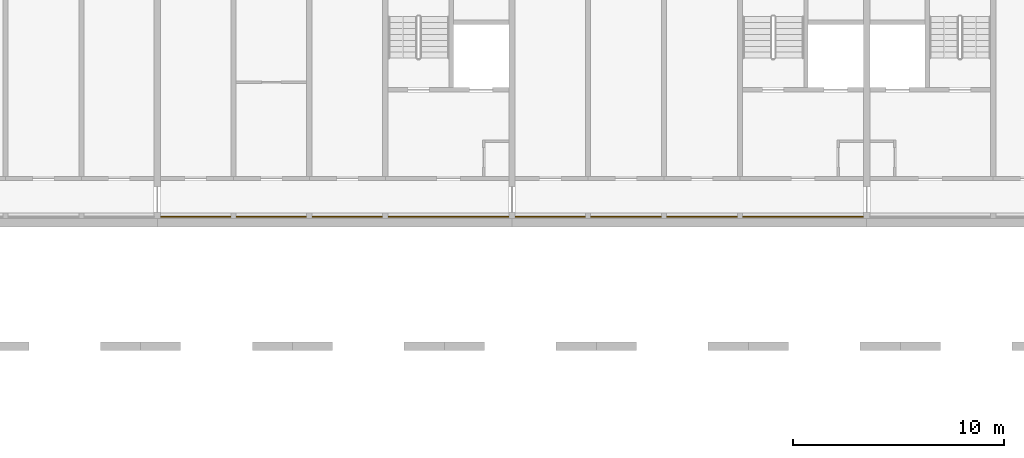
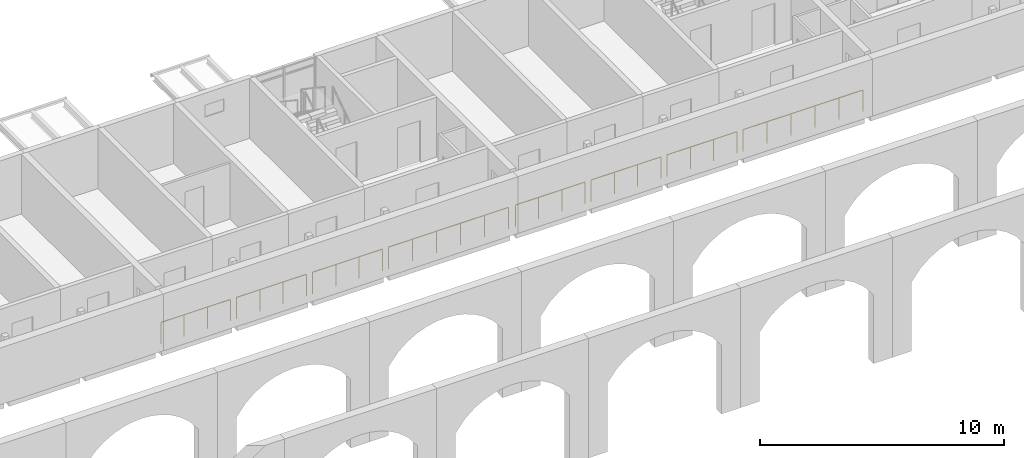
# One storey, part 103 of 122: 8 railings.
"""IFC4 building model written with IfcOpenShell, lengths in metres."""

from ifc_helpers import new_model, si_unit, direction, frame, origin, origin_2d, place, context, subcontext, project, spatial, circle, extrude, material, type_object, element, save


model = new_model("IFC4")

# Units and contexts
model_context = context("Model", 3, precision=1e-05, world=origin(), true_north=direction((0.0, 1.0)))
body_context = subcontext(model_context, "Body", "Model", "MODEL_VIEW")
ifc_project = project(units=[si_unit("LENGTHUNIT", "METRE"), si_unit("AREAUNIT", "SQUARE_METRE"), si_unit("VOLUMEUNIT", "CUBIC_METRE"), si_unit("PLANEANGLEUNIT", "RADIAN"), si_unit("MASSUNIT", "GRAM", prefix="KILO")], contexts=[model_context])

# Site, building, storey
site_placement = place(None, origin())
site = spatial("IfcSite", under=ifc_project, at=site_placement, CompositionType="ELEMENT")
building_placement = place(site_placement, origin())
building = spatial("IfcBuilding", under=site, at=building_placement, Name="Ridgestep Commons", CompositionType="ELEMENT")
storey_placement = place(building_placement, frame((0.0, 0.0, 3.0)))
storey = spatial("IfcBuildingStorey", under=building, at=storey_placement, Name="L01", CompositionType="ELEMENT", Elevation=3.0)

# Railings
ifc_material = material(Name="Structural steel S355JR galvanised", Category="steel")
railing_type = type_object("IfcRailingType", Name="Passage guard 1100", PredefinedType="GUARDRAIL", material=ifc_material)
railing_1_placement = place(storey_placement, frame((62.571044921875, 11.830078125, 0.0)))
element("IfcRailing", 1, at=railing_1_placement, inside=storey, type_object=railing_type, Name="Passage guard A 01.13", PredefinedType="GUARDRAIL", context=body_context, shape_type="SweptSolid", body=[
    extrude(circle(Radius=0.02392578125, at=origin_2d()), frame((0.0, 0.0, 1.076171875), z_axis=(1.0, 0.0, 0.0), x_axis=(0.0, 1.0, 0.0)), (0.0, 0.0, 1.0), 3.282958984375),
    extrude(circle(Radius=0.02099609375, at=origin_2d()), origin(), (0.0, 0.0, 1.0), 1.052001953125),
    extrude(circle(Radius=0.02099609375, at=origin_2d()), frame((1.09423828125, 0.0, 0.0)), (0.0, 0.0, 1.0), 1.052001953125),
    extrude(circle(Radius=0.02099609375, at=origin_2d()), frame((2.188720703125, 0.0, 0.0)), (0.0, 0.0, 1.0), 1.052001953125),
    extrude(circle(Radius=0.02099609375, at=origin_2d()), frame((3.282958984375, 0.0, 0.0)), (0.0, 0.0, 1.0), 1.052001953125),
])
railing_2_placement = place(storey_placement, frame((66.14599609375, 11.830078125, 0.0)))
element("IfcRailing", 2, at=railing_2_placement, inside=storey, type_object=railing_type, Name="Passage guard A 01.14", PredefinedType="GUARDRAIL", context=body_context, shape_type="SweptSolid", body=[
    extrude(circle(Radius=0.02392578125, at=origin_2d()), frame((0.0, 0.0, 1.076171875), z_axis=(1.0, 0.0, 0.0), x_axis=(0.0, 1.0, 0.0)), (0.0, 0.0, 1.0), 3.30810546875),
    extrude(circle(Radius=0.02099609375, at=origin_2d()), origin(), (0.0, 0.0, 1.0), 1.052001953125),
    extrude(circle(Radius=0.02099609375, at=origin_2d()), frame((1.102783203125, 0.0, 0.0)), (0.0, 0.0, 1.0), 1.052001953125),
    extrude(circle(Radius=0.02099609375, at=origin_2d()), frame((2.205322265625, 0.0, 0.0)), (0.0, 0.0, 1.0), 1.052001953125),
    extrude(circle(Radius=0.02099609375, at=origin_2d()), frame((3.30810546875, 0.0, 0.0)), (0.0, 0.0, 1.0), 1.052001953125),
])
railing_3_placement = place(storey_placement, frame((69.74609375, 11.830078125, 0.0)))
element("IfcRailing", 3, at=railing_3_placement, inside=storey, type_object=railing_type, Name="Passage guard A 01.15", PredefinedType="GUARDRAIL", context=body_context, shape_type="SweptSolid", body=[
    extrude(circle(Radius=0.02392578125, at=origin_2d()), frame((0.0, 0.0, 1.076171875), z_axis=(1.0, 0.0, 0.0), x_axis=(0.0, 1.0, 0.0)), (0.0, 0.0, 1.0), 3.307861328125),
    extrude(circle(Radius=0.02099609375, at=origin_2d()), origin(), (0.0, 0.0, 1.0), 1.052001953125),
    extrude(circle(Radius=0.02099609375, at=origin_2d()), frame((1.1025390625, 0.0, 0.0)), (0.0, 0.0, 1.0), 1.052001953125),
    extrude(circle(Radius=0.02099609375, at=origin_2d()), frame((2.205322265625, 0.0, 0.0)), (0.0, 0.0, 1.0), 1.052001953125),
    extrude(circle(Radius=0.02099609375, at=origin_2d()), frame((3.307861328125, 0.0, 0.0)), (0.0, 0.0, 1.0), 1.052001953125),
])
railing_4_placement = place(storey_placement, frame((73.345947265625, 11.830078125, 0.0)))
element("IfcRailing", 4, at=railing_4_placement, inside=storey, type_object=railing_type, Name="Passage guard A 01.16", PredefinedType="GUARDRAIL", context=body_context, shape_type="SweptSolid", body=[
    extrude(circle(Radius=0.02392578125, at=origin_2d()), frame((0.0, 0.0, 1.076171875), z_axis=(1.0, 0.0, 0.0), x_axis=(0.0, 1.0, 0.0)), (0.0, 0.0, 1.0), 5.68310546875),
    extrude(circle(Radius=0.02099609375, at=origin_2d()), origin(), (0.0, 0.0, 1.0), 1.052001953125),
    extrude(circle(Radius=0.02099609375, at=origin_2d()), frame((1.13671875, 0.0, 0.0)), (0.0, 0.0, 1.0), 1.052001953125),
    extrude(circle(Radius=0.02099609375, at=origin_2d()), frame((2.273193359375, 0.0, 0.0)), (0.0, 0.0, 1.0), 1.052001953125),
    extrude(circle(Radius=0.02099609375, at=origin_2d()), frame((3.409912109375, 0.0, 0.0)), (0.0, 0.0, 1.0), 1.052001953125),
    extrude(circle(Radius=0.02099609375, at=origin_2d()), frame((4.54638671875, 0.0, 0.0)), (0.0, 0.0, 1.0), 1.052001953125),
    extrude(circle(Radius=0.02099609375, at=origin_2d()), frame((5.68310546875, 0.0, 0.0)), (0.0, 0.0, 1.0), 1.052001953125),
])
railing_5_placement = place(storey_placement, frame((79.37109375, 11.830078125, 0.0)))
element("IfcRailing", 5, at=railing_5_placement, inside=storey, type_object=railing_type, Name="Passage guard A 01.17", PredefinedType="GUARDRAIL", context=body_context, shape_type="SweptSolid", body=[
    extrude(circle(Radius=0.02392578125, at=origin_2d()), frame((0.0, 0.0, 1.076171875), z_axis=(1.0, 0.0, 0.0), x_axis=(0.0, 1.0, 0.0)), (0.0, 0.0, 1.0), 3.282958984375),
    extrude(circle(Radius=0.02099609375, at=origin_2d()), origin(), (0.0, 0.0, 1.0), 1.052001953125),
    extrude(circle(Radius=0.02099609375, at=origin_2d()), frame((1.09423828125, 0.0, 0.0)), (0.0, 0.0, 1.0), 1.052001953125),
    extrude(circle(Radius=0.02099609375, at=origin_2d()), frame((2.188720703125, 0.0, 0.0)), (0.0, 0.0, 1.0), 1.052001953125),
    extrude(circle(Radius=0.02099609375, at=origin_2d()), frame((3.282958984375, 0.0, 0.0)), (0.0, 0.0, 1.0), 1.052001953125),
])
railing_6_placement = place(storey_placement, frame((82.946044921875, 11.830078125, 0.0)))
element("IfcRailing", 6, at=railing_6_placement, inside=storey, type_object=railing_type, Name="Passage guard A 01.18", PredefinedType="GUARDRAIL", context=body_context, shape_type="SweptSolid", body=[
    extrude(circle(Radius=0.02392578125, at=origin_2d()), frame((0.0, 0.0, 1.076171875), z_axis=(1.0, 0.0, 0.0), x_axis=(0.0, 1.0, 0.0)), (0.0, 0.0, 1.0), 3.307861328125),
    extrude(circle(Radius=0.02099609375, at=origin_2d()), origin(), (0.0, 0.0, 1.0), 1.052001953125),
    extrude(circle(Radius=0.02099609375, at=origin_2d()), frame((1.1025390625, 0.0, 0.0)), (0.0, 0.0, 1.0), 1.052001953125),
    extrude(circle(Radius=0.02099609375, at=origin_2d()), frame((2.205322265625, 0.0, 0.0)), (0.0, 0.0, 1.0), 1.052001953125),
    extrude(circle(Radius=0.02099609375, at=origin_2d()), frame((3.307861328125, 0.0, 0.0)), (0.0, 0.0, 1.0), 1.052001953125),
])
railing_7_placement = place(storey_placement, frame((86.5458984375, 11.830078125, 0.0)))
element("IfcRailing", 7, at=railing_7_placement, inside=storey, type_object=railing_type, Name="Passage guard A 01.19", PredefinedType="GUARDRAIL", context=body_context, shape_type="SweptSolid", body=[
    extrude(circle(Radius=0.02392578125, at=origin_2d()), frame((0.0, 0.0, 1.076171875), z_axis=(1.0, 0.0, 0.0), x_axis=(0.0, 1.0, 0.0)), (0.0, 0.0, 1.0), 3.30810546875),
    extrude(circle(Radius=0.02099609375, at=origin_2d()), origin(), (0.0, 0.0, 1.0), 1.052001953125),
    extrude(circle(Radius=0.02099609375, at=origin_2d()), frame((1.102783203125, 0.0, 0.0)), (0.0, 0.0, 1.0), 1.052001953125),
    extrude(circle(Radius=0.02099609375, at=origin_2d()), frame((2.205322265625, 0.0, 0.0)), (0.0, 0.0, 1.0), 1.052001953125),
    extrude(circle(Radius=0.02099609375, at=origin_2d()), frame((3.30810546875, 0.0, 0.0)), (0.0, 0.0, 1.0), 1.052001953125),
])
railing_8_placement = place(storey_placement, frame((90.14599609375, 11.830078125, 0.0)))
element("IfcRailing", 8, at=railing_8_placement, inside=storey, type_object=railing_type, Name="Passage guard A 01.20", PredefinedType="GUARDRAIL", context=body_context, shape_type="SweptSolid", body=[
    extrude(circle(Radius=0.02392578125, at=origin_2d()), frame((0.0, 0.0, 1.076171875), z_axis=(1.0, 0.0, 0.0), x_axis=(0.0, 1.0, 0.0)), (0.0, 0.0, 1.0), 5.68310546875),
    extrude(circle(Radius=0.02099609375, at=origin_2d()), origin(), (0.0, 0.0, 1.0), 1.052001953125),
    extrude(circle(Radius=0.02099609375, at=origin_2d()), frame((1.13671875, 0.0, 0.0)), (0.0, 0.0, 1.0), 1.052001953125),
    extrude(circle(Radius=0.02099609375, at=origin_2d()), frame((2.273193359375, 0.0, 0.0)), (0.0, 0.0, 1.0), 1.052001953125),
    extrude(circle(Radius=0.02099609375, at=origin_2d()), frame((3.409912109375, 0.0, 0.0)), (0.0, 0.0, 1.0), 1.052001953125),
    extrude(circle(Radius=0.02099609375, at=origin_2d()), frame((4.54638671875, 0.0, 0.0)), (0.0, 0.0, 1.0), 1.052001953125),
    extrude(circle(Radius=0.02099609375, at=origin_2d()), frame((5.68310546875, 0.0, 0.0)), (0.0, 0.0, 1.0), 1.052001953125),
])

save(model, "model.ifc")
